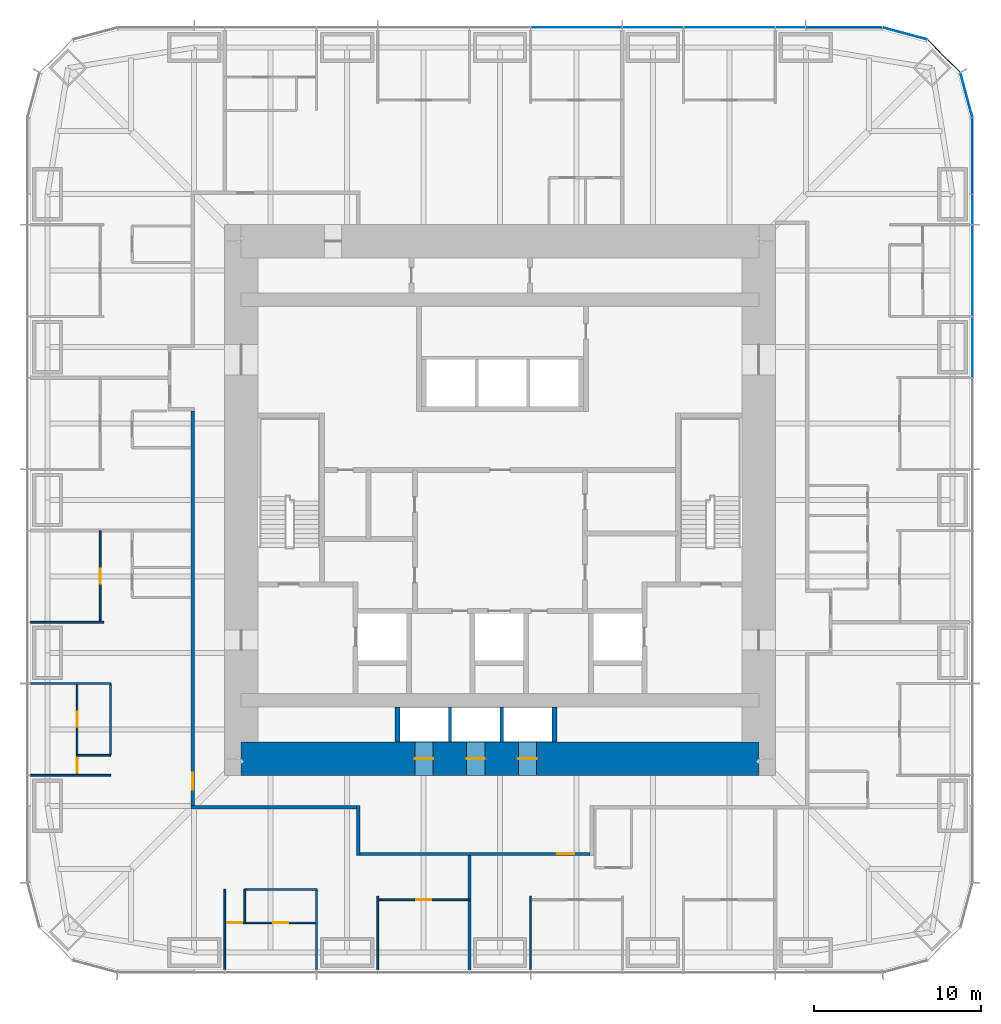
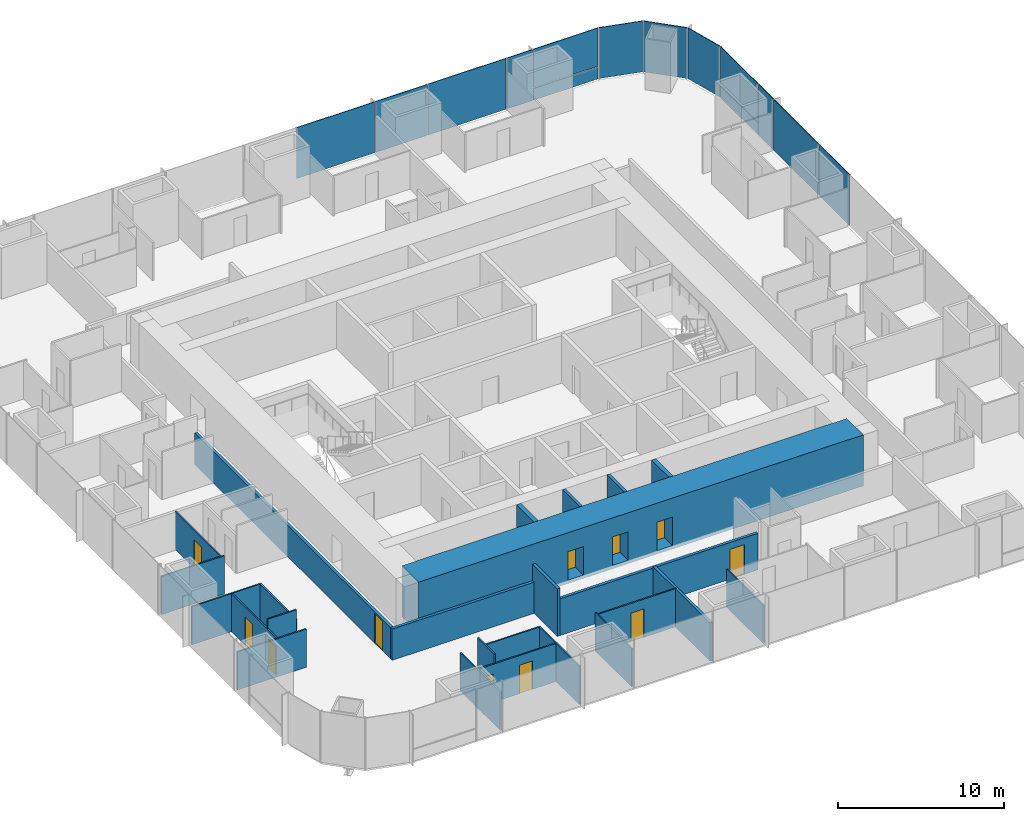
# One storey, part 7 of 12: 25 walls, 14 plates, 11 doors, 11 openings, 3 elements without a shape of their own.
"""IFC4 building model written with IfcOpenShell, lengths in metres."""

from ifc_helpers import new_model, si_unit, direction, frame, frame_2d, origin, origin_2d, place, context, subcontext, project, spatial, rectangle, extrude, material, layer, layer_set, type_object, element, fill, aggregate, save


model = new_model("IFC4")

# Units and contexts
model_context = context("Model", 3, precision=1e-05, world=origin(), true_north=direction((0.0, 1.0)))
body_context = subcontext(model_context, "Body", "Model", "MODEL_VIEW")
ifc_project = project(units=[si_unit("LENGTHUNIT", "METRE"), si_unit("AREAUNIT", "SQUARE_METRE"), si_unit("VOLUMEUNIT", "CUBIC_METRE"), si_unit("PLANEANGLEUNIT", "RADIAN"), si_unit("MASSUNIT", "GRAM", prefix="KILO")], contexts=[model_context])

# Site, building, storey
site_placement = place(None, origin())
site = spatial("IfcSite", under=ifc_project, at=site_placement, CompositionType="ELEMENT")
building_placement = place(site_placement, origin())
building = spatial("IfcBuilding", under=site, at=building_placement, Name="Khuree Lantern Residences", CompositionType="ELEMENT")
storey_placement = place(building_placement, frame((0.0, 0.0, 178.5)))
storey = spatial("IfcBuildingStorey", under=building, at=storey_placement, Name="L45", CompositionType="ELEMENT", Elevation=178.5)

# Curtain wall, plates
ifc_material_1 = material(Name="Bronze anodised aluminium", Category="aluminium")
curtain_wall_type_1 = type_object("IfcCurtainWallType", Name="CW-T2 TOWER CORNER CURTAIN WALL", PredefinedType="USERDEFINED", material=ifc_material_1)
curtain_wall_1_placement = place(storey_placement, origin())
curtain_wall_1 = element("IfcCurtainWall", 1, at=curtain_wall_1_placement, inside=storey, type_object=curtain_wall_type_1, Name="L45 NORTH-EAST CORNER CURTAIN WALL", ObjectType="Faceted corner curtain wall", PredefinedType="USERDEFINED")
ifc_material_2 = material(Name="Bronze tinted triple glazing", Category="glass")
ifc_layer_1 = layer(ifc_material_2, 0.048095703125)
ifc_layer_set_1 = layer_set([ifc_layer_1], Name="FACET PANEL P4")
plate_type_1 = type_object("IfcPlateType", Name="FACET PANEL P4", PredefinedType="CURTAIN_PANEL", material=ifc_layer_set_1)
plate_1_placement = place(storey_placement, frame((27.938720703125, 24.248046875, 0.0), z_axis=(0.0, 0.0, 1.0), x_axis=(-0.258819105321, 0.965925810153, 0.0)))
plate_1 = element("IfcPlate", 2, at=plate_1_placement, type_object=plate_type_1, Name="L45 NORTH-EAST CORNER PANEL 15.1", PredefinedType="CURTAIN_PANEL", context=body_context, shape_type="SweptSolid", body=[
    extrude(rectangle(XDim=2.71923828125, YDim=0.048095703125, at=origin_2d()), origin(), (0.0, 0.0, 1.0), 3.75),
])
plate_2_placement = place(storey_placement, frame((26.58837890625, 26.58837890625, 0.0), z_axis=(0.0, 0.0, 1.0), x_axis=(-0.707106781187, 0.707106781187, 0.0)))
plate_2 = element("IfcPlate", 3, at=plate_2_placement, type_object=plate_type_1, Name="L45 NORTH-EAST CORNER PANEL 16.1", PredefinedType="CURTAIN_PANEL", context=body_context, shape_type="SweptSolid", body=[
    extrude(rectangle(XDim=2.715087890625, YDim=0.048095703125, at=origin_2d()), origin(), (0.0, 0.0, 1.0), 3.75),
])
plate_3_placement = place(storey_placement, frame((24.248046875, 27.938720703125, 0.0), z_axis=(0.0, 0.0, 1.0), x_axis=(-0.965925810153, 0.258819105321, 0.0)))
plate_3 = element("IfcPlate", 4, at=plate_3_placement, type_object=plate_type_1, Name="L45 NORTH-EAST CORNER PANEL 17.1", PredefinedType="CURTAIN_PANEL", context=body_context, shape_type="SweptSolid", body=[
    extrude(rectangle(XDim=2.71923828125, YDim=0.048095703125, at=origin_2d()), origin(), (0.0, 0.0, 1.0), 3.75),
])
aggregate(curtain_wall_1, [plate_1, plate_2, plate_3])

# Curtain wall, plate
curtain_wall_type_2 = type_object("IfcCurtainWallType", Name="CW-T1 TOWER FACE CURTAIN WALL", PredefinedType="USERDEFINED", material=ifc_material_1)
curtain_wall_2_placement = place(storey_placement, origin())
curtain_wall_2 = element("IfcCurtainWall", 5, at=curtain_wall_2_placement, inside=storey, type_object=curtain_wall_type_2, Name="L45 EAST FACE CURTAIN WALL", ObjectType="Stick-built curtain wall", PredefinedType="USERDEFINED")
ifc_material_3 = material(Name="Bronze tinted triple glazing with a ceramic-fritted spandrel band", Category="glass")
ifc_layer_2 = layer(ifc_material_3, 0.048095703125)
ifc_layer_set_2 = layer_set([ifc_layer_2], Name="FIXED LIGHT PANEL P11")
plate_type_2 = type_object("IfcPlateType", Name="FIXED LIGHT PANEL P11", PredefinedType="CURTAIN_PANEL", material=ifc_layer_set_2)
plate_4_placement = place(storey_placement, frame((28.300048828125, 13.739990234375, 0.0), z_axis=(0.0, 0.0, 1.0), x_axis=(0.0, 1.0, 0.0)))
plate_4 = element("IfcPlate", 6, at=plate_4_placement, type_object=plate_type_2, Name="L45 EAST FACE PANEL 12.1", PredefinedType="CURTAIN_PANEL", context=body_context, shape_type="SweptSolid", body=[
    extrude(rectangle(XDim=5.430908203125, YDim=0.048095703125, at=origin_2d()), origin(), (0.0, 0.0, 1.0), 3.75),
])

# Curtain wall, plates
curtain_wall_3_placement = place(storey_placement, origin())
curtain_wall_3 = element("IfcCurtainWall", 7, at=curtain_wall_3_placement, inside=storey, type_object=curtain_wall_type_2, Name="L45 NORTH FACE CURTAIN WALL", ObjectType="Stick-built curtain wall", PredefinedType="USERDEFINED")
plate_5_placement = place(storey_placement, frame((13.739990234375, 28.300048828125, 0.0), z_axis=(0.0, 0.0, 1.0), x_axis=(-1.0, 0.0, 0.0)))
plate_5 = element("IfcPlate", 8, at=plate_5_placement, type_object=plate_type_2, Name="L45 NORTH FACE PANEL 20.1", PredefinedType="CURTAIN_PANEL", context=body_context, shape_type="SweptSolid", body=[
    extrude(rectangle(XDim=5.430908203125, YDim=0.048095703125, at=origin_2d()), origin(), (0.0, 0.0, 1.0), 3.75),
])
plate_6_placement = place(storey_placement, frame((4.580078125, 28.300048828125, 0.0), z_axis=(0.0, 0.0, 1.0), x_axis=(-1.0, 0.0, 0.0)))
plate_6 = element("IfcPlate", 9, at=plate_6_placement, type_object=plate_type_2, Name="L45 NORTH FACE PANEL 22.1", PredefinedType="CURTAIN_PANEL", context=body_context, shape_type="SweptSolid", body=[
    extrude(rectangle(XDim=5.430908203125, YDim=0.048095703125, at=origin_2d()), origin(), (0.0, 0.0, 1.0), 3.75),
])

# Plate
ifc_material_4 = material(Name="Bronze tinted triple glazing, two aluminium-framed sashes in one frame", Category="aluminium")
ifc_layer_3 = layer(ifc_material_4, 0.048095703125)
ifc_layer_set_3 = layer_set([ifc_layer_3], Name="SASH PAIR PANEL P12")
plate_type_3 = type_object("IfcPlateType", Name="SASH PAIR PANEL P12", PredefinedType="CURTAIN_PANEL", material=ifc_layer_set_3)
plate_7_placement = place(storey_placement, frame((28.300048828125, 9.159912109375, 0.0), z_axis=(0.0, 0.0, 1.0), x_axis=(0.0, 1.0, 0.0)))
plate_7 = element("IfcPlate", 10, at=plate_7_placement, type_object=plate_type_3, Name="L45 EAST FACE PANEL 11.1", PredefinedType="CURTAIN_PANEL", context=body_context, shape_type="SweptSolid", body=[
    extrude(rectangle(XDim=3.59912109375, YDim=0.048095703125, at=origin_2d()), origin(), (0.0, 0.0, 1.0), 3.75),
])

plate_8_placement = place(storey_placement, frame((9.159912109375, 28.300048828125, 0.0), z_axis=(0.0, 0.0, 1.0), x_axis=(-1.0, 0.0, 0.0)))
plate_8 = element("IfcPlate", 11, at=plate_8_placement, type_object=plate_type_3, Name="L45 NORTH FACE PANEL 21.1", PredefinedType="CURTAIN_PANEL", context=body_context, shape_type="SweptSolid", body=[
    extrude(rectangle(XDim=3.59912109375, YDim=0.048095703125, at=origin_2d()), origin(), (0.0, 0.0, 1.0), 3.75),
])

ifc_material_5 = material(Name="Bronze tinted triple glazing, aluminium-framed sash", Category="aluminium")
ifc_layer_4 = layer(ifc_material_5, 0.048095703125)
ifc_layer_set_4 = layer_set([ifc_layer_4], Name="SASH PANEL P3")
plate_type_4 = type_object("IfcPlateType", Name="SASH PANEL P3", PredefinedType="CURTAIN_PANEL", material=ifc_layer_set_4)
plate_9_placement = place(storey_placement, frame((28.300048828125, 17.404052734375, 0.0), z_axis=(0.0, 0.0, 1.0), x_axis=(0.0, 1.0, 0.0)))
plate_9 = element("IfcPlate", 12, at=plate_9_placement, type_object=plate_type_4, Name="L45 EAST FACE PANEL 13.1", PredefinedType="CURTAIN_PANEL", context=body_context, shape_type="SweptSolid", body=[
    extrude(rectangle(XDim=1.76708984375, YDim=0.048095703125, at=origin_2d()), origin(), (0.0, 0.0, 1.0), 3.75),
])

plate_10_placement = place(storey_placement, frame((17.404052734375, 28.300048828125, 0.0), z_axis=(0.0, 0.0, 1.0), x_axis=(-1.0, 0.0, 0.0)))
plate_10 = element("IfcPlate", 13, at=plate_10_placement, type_object=plate_type_4, Name="L45 NORTH FACE PANEL 19.1", PredefinedType="CURTAIN_PANEL", context=body_context, shape_type="SweptSolid", body=[
    extrude(rectangle(XDim=1.76708984375, YDim=0.048095703125, at=origin_2d()), origin(), (0.0, 0.0, 1.0), 3.75),
])

ifc_material_6 = material(Name="Bronze anodised aluminium insulated spandrel", Category="aluminium")
ifc_layer_5 = layer(ifc_material_6, 0.06005859375)
ifc_layer_set_5 = layer_set([ifc_layer_5], Name="SPANDREL PANEL P2")
plate_type_5 = type_object("IfcPlateType", Name="SPANDREL PANEL P2", PredefinedType="CURTAIN_PANEL", material=ifc_layer_set_5)
plate_11_placement = place(storey_placement, frame((28.300048828125, 20.60791015625, 0.0), z_axis=(0.0, 0.0, 1.0), x_axis=(0.0, 1.0, 0.0)))
plate_11 = element("IfcPlate", 14, at=plate_11_placement, type_object=plate_type_5, Name="L45 EAST FACE PANEL 14.1", PredefinedType="CURTAIN_PANEL", context=body_context, shape_type="SweptSolid", body=[
    extrude(rectangle(XDim=4.5107421875, YDim=0.06005859375, at=origin_2d()), origin(), (0.0, 0.0, 1.0), 0.867431640625),
])

plate_12_placement = place(storey_placement, frame((20.60791015625, 28.300048828125, 0.0), z_axis=(0.0, 0.0, 1.0), x_axis=(-1.0, 0.0, 0.0)))
plate_12 = element("IfcPlate", 15, at=plate_12_placement, type_object=plate_type_5, Name="L45 NORTH FACE PANEL 18.1", PredefinedType="CURTAIN_PANEL", context=body_context, shape_type="SweptSolid", body=[
    extrude(rectangle(XDim=4.5107421875, YDim=0.06005859375, at=origin_2d()), origin(), (0.0, 0.0, 1.0), 0.867431640625),
])

ifc_layer_6 = layer(ifc_material_2, 0.048095703125)
ifc_layer_set_6 = layer_set([ifc_layer_6], Name="VISION PANEL P1")
plate_type_6 = type_object("IfcPlateType", Name="VISION PANEL P1", PredefinedType="CURTAIN_PANEL", material=ifc_layer_set_6)
plate_13_placement = place(storey_placement, frame((28.300048828125, 20.6083984375, 0.9326171875), z_axis=(0.0, 0.0, 1.0), x_axis=(0.0, 1.0, 0.0)))
plate_13 = element("IfcPlate", 16, at=plate_13_placement, type_object=plate_type_6, Name="L45 EAST FACE PANEL 14.2", PredefinedType="CURTAIN_PANEL", context=body_context, shape_type="SweptSolid", body=[
    extrude(rectangle(XDim=4.511474609375, YDim=0.048095703125, at=origin_2d()), origin(), (0.0, 0.0, 1.0), 2.8173828125),
])

aggregate(curtain_wall_2, [plate_7, plate_4, plate_9, plate_11, plate_13])

plate_14_placement = place(storey_placement, frame((20.6083984375, 28.300048828125, 0.9326171875), z_axis=(0.0, 0.0, 1.0), x_axis=(-1.0, 0.0, 0.0)))
plate_14 = element("IfcPlate", 17, at=plate_14_placement, type_object=plate_type_6, Name="L45 NORTH FACE PANEL 18.2", PredefinedType="CURTAIN_PANEL", context=body_context, shape_type="SweptSolid", body=[
    extrude(rectangle(XDim=4.511474609375, YDim=0.048095703125, at=origin_2d()), origin(), (0.0, 0.0, 1.0), 2.8173828125),
])

aggregate(curtain_wall_3, [plate_12, plate_14, plate_10, plate_5, plate_8, plate_6])

# Walls
ifc_material_7 = material(Name="Moisture-resistant gypsum board on steel studs", Category="steel")
ifc_layer_7 = layer(ifc_material_7, 0.125)
ifc_layer_set_7 = layer_set([ifc_layer_7], Name="BATHROOM WALL BTW125")
wall_type_1 = type_object("IfcWallType", Name="BATHROOM WALL BTW125", PredefinedType="PARTITIONING", material=ifc_layer_set_7)
wall_1_placement = place(storey_placement, frame((-23.329833984375, -10.991943359375, 0.0), z_axis=(0.0, 0.0, 1.0), x_axis=(0.0, -1.0, 0.0)))
element("IfcWall", 18, at=wall_1_placement, inside=storey, type_object=wall_type_1, Name="L45 BATHROOM WALL 05", PredefinedType="PARTITIONING", context=body_context, shape_type="SweptSolid", body=[
    extrude(rectangle(XDim=4.296142578125, YDim=0.125, at=frame_2d((2.14794921875, 0.0))), origin(), (0.0, 0.0, 1.0), 2.81005859375),
])
ifc_material_8 = material(Name="Dense concrete blockwork", Category="masonry")
ifc_layer_8 = layer(ifc_material_8, 0.300048828125)
ifc_layer_set_8 = layer_set([ifc_layer_8], Name="CORE PARTITION WALL CPW300 EI 120")
wall_type_2 = type_object("IfcWallType", Name="CORE PARTITION WALL CPW300 EI 120", PredefinedType="PARTITIONING", material=ifc_layer_set_8)
for number, where, z_axis, x_axis, name in (
    (19, (-6.14990234375, -14.5, 0.0), (0.0, 0.0, 1.0), (0.0, 1.0, 0.0), "L45 CORE WALL PMW"),
    (20, (3.25, -14.5, 0.0), (0.0, 0.0, 1.0), (0.0, 1.0, 0.0), "L45 CORE WALL PME"),
):
    element("IfcWall", number, at=place(storey_placement, frame(where, z_axis=z_axis, x_axis=x_axis)), inside=storey, type_object=wall_type_2, Name=name, PredefinedType="PARTITIONING", context=body_context, shape_type="SweptSolid", body=[
        extrude(rectangle(XDim=2.10009765625, YDim=0.300048828125, at=frame_2d((1.050048828125, 0.0))), origin(), (0.0, 0.0, 1.0), 3.5),
    ])

# Wall, opening, door
ifc_material_9 = material(Name="Gypsum board on steel studs", Category="steel")
ifc_layer_9 = layer(ifc_material_9, 0.199951171875)
ifc_layer_set_9 = layer_set([ifc_layer_9], Name="CORRIDOR WALL CRW200 EI 60")
wall_type_3 = type_object("IfcWallType", Name="CORRIDOR WALL CRW200 EI 60", PredefinedType="PARTITIONING", material=ifc_layer_set_9)
wall_2_placement = place(storey_placement, frame((-18.39990234375, 5.327880859375, 0.0), z_axis=(0.0, 0.0, 1.0), x_axis=(0.0, -1.0, 0.0)))
wall_2 = element("IfcWall", 21, at=wall_2_placement, inside=storey, type_object=wall_type_3, Name="L45 CORRIDOR WALL WEST 2", PredefinedType="PARTITIONING", context=body_context, shape_type="SweptSolid", body=[
    extrude(rectangle(XDim=23.6279296875, YDim=0.199951171875, at=frame_2d((11.81396484375, 0.0))), origin(), (0.0, 0.0, 1.0), 2.300048828125),
])
opening_1_placement = place(wall_2_placement, frame((21.679931640625, 0.0, 0.0)))
opening_1 = element("IfcOpeningElement", 22, at=opening_1_placement, cuts=wall_2, Name="Opening 45-055", PredefinedType="OPENING", context=body_context, shape_type="SweptSolid", body=[
    extrude(rectangle(XDim=1.0, YDim=2.199951171875, at=frame_2d((0.5, 1.10009765625))), frame((0.0, 0.10986328125, 0.0), z_axis=(0.0, -1.0, 0.0), x_axis=(1.0, 0.0, 0.0)), (0.0, 0.0, 1.0), 0.219970703125),
])
ifc_material_10 = material(Name="Timber door leaf in hardwood frame", Category="wood")
door_type_1 = type_object("IfcDoorType", Name="APARTMENT ENTRANCE DOOR 1000X2200 EI 30S RIGHT HAND", OperationType="SINGLE_SWING_RIGHT", PredefinedType="DOOR", material=ifc_material_10)
door_1_placement = place(opening_1_placement, origin())
door_1 = element("IfcDoor", 23, at=door_1_placement, inside=storey, type_object=door_type_1, Name="Apartment 05 entrance door 45-055", OperationType="SINGLE_SWING_RIGHT", OverallHeight=2.199951171875, OverallWidth=1.0, PredefinedType="DOOR", context=body_context, shape_type="SweptSolid", body=[
    extrude(rectangle(XDim=1.0, YDim=2.199951171875, at=frame_2d((0.5, 1.10009765625))), frame((0.0, 0.02490234375, 0.0), z_axis=(0.0, -1.0, 0.0), x_axis=(1.0, 0.0, 0.0)), (0.0, 0.0, 1.0), 0.050048828125),
])
fill(opening_1, door_1)

# Wall
wall_3_placement = place(storey_placement, frame((-8.5, -18.300048828125, 0.0), z_axis=(0.0, 0.0, 1.0), x_axis=(0.0, -1.0, 0.0)))
element("IfcWall", 24, at=wall_3_placement, inside=storey, type_object=wall_type_3, Name="L45 LIFT LOBBY WALL", PredefinedType="PARTITIONING", context=body_context, shape_type="SweptSolid", body=[
    extrude(rectangle(XDim=3.0, YDim=0.199951171875, at=frame_2d((1.5, 0.0))), origin(), (0.0, 0.0, 1.0), 3.5),
])

# Wall, opening, door
wall_4_placement = place(storey_placement, frame((5.39990234375, -21.199951171875, 0.0), z_axis=(0.0, 0.0, 1.0), x_axis=(-1.0, 0.0, 0.0)))
wall_4 = element("IfcWall", 25, at=wall_4_placement, inside=storey, type_object=wall_type_3, Name="L45 LIFT LOBBY WALL", PredefinedType="PARTITIONING", context=body_context, shape_type="SweptSolid", body=[
    extrude(rectangle(XDim=13.7998046875, YDim=0.199951171875, at=frame_2d((6.89990234375, 0.0))), origin(), (0.0, 0.0, 1.0), 2.699951171875),
])
opening_2_placement = place(wall_4_placement, frame((0.9619140625, 0.0, 0.0)))
opening_2 = element("IfcOpeningElement", 26, at=opening_2_placement, cuts=wall_4, Name="Opening 45-059", PredefinedType="OPENING", context=body_context, shape_type="SweptSolid", body=[
    extrude(rectangle(XDim=1.0, YDim=2.199951171875, at=frame_2d((0.5, 1.10009765625))), frame((0.0, 0.10986328125, 0.0), z_axis=(0.0, -1.0, 0.0), x_axis=(1.0, 0.0, 0.0)), (0.0, 0.0, 1.0), 0.219970703125),
])
door_type_2 = type_object("IfcDoorType", Name="APARTMENT ENTRANCE DOOR 1000X2200 EI 30S", OperationType="SINGLE_SWING_LEFT", PredefinedType="DOOR", material=ifc_material_10)
door_2_placement = place(opening_2_placement, origin())
door_2 = element("IfcDoor", 27, at=door_2_placement, inside=storey, type_object=door_type_2, Name="Apartment 06 entrance door 45-059", OperationType="SINGLE_SWING_LEFT", OverallHeight=2.199951171875, OverallWidth=1.0, PredefinedType="DOOR", context=body_context, shape_type="SweptSolid", body=[
    extrude(rectangle(XDim=1.0, YDim=2.199951171875, at=frame_2d((0.5, 1.10009765625))), frame((0.0, 0.02490234375, 0.0), z_axis=(0.0, -1.0, 0.0), x_axis=(1.0, 0.0, 0.0)), (0.0, 0.0, 1.0), 0.050048828125),
])
fill(opening_2, door_2)

# Wall
wall_5_placement = place(storey_placement, frame((-8.60009765625, -18.39990234375, 0.0), z_axis=(0.0, 0.0, 1.0), x_axis=(-1.0, 0.0, 0.0)))
element("IfcWall", 28, at=wall_5_placement, inside=storey, type_object=wall_type_3, Name="L45 CORRIDOR WALL SOUTH 2", PredefinedType="PARTITIONING", context=body_context, shape_type="SweptSolid", body=[
    extrude(rectangle(XDim=9.89990234375, YDim=0.199951171875, at=frame_2d((4.949951171875, 0.0))), origin(), (0.0, 0.0, 1.0), 2.300048828125),
])

# Wall, openings, doors
ifc_material_11 = material(Name="Concrete C70/85", Category="concrete")
ifc_layer_10 = layer(ifc_material_11, 2.0)
ifc_layer_set_10 = layer_set([ifc_layer_10], Name="CW2000-C70 CORE WALL C70 2000")
wall_type_4 = type_object("IfcWallType", Name="CW2000-C70 CORE WALL C70 2000", PredefinedType="SHEAR", material=ifc_layer_set_10)
wall_6_placement = place(storey_placement, frame((-15.5, -15.5, -0.25), z_axis=(0.0, 0.0, 1.0), x_axis=(1.0, 0.0, 0.0)))
wall_6 = element("IfcWall", 29, at=wall_6_placement, inside=storey, type_object=wall_type_4, Name="Core wall S", PredefinedType="SHEAR", context=body_context, shape_type="SweptSolid", body=[
    extrude(rectangle(XDim=31.0, YDim=2.0, at=frame_2d((15.5, 0.0))), origin(), (0.0, 0.0, 1.0), 3.75),
])
opening_3_placement = place(wall_6_placement, frame((10.39990234375, 0.0, 0.25)))
opening_3 = element("IfcOpeningElement", 30, at=opening_3_placement, cuts=wall_6, Name="Opening 45-009", PredefinedType="OPENING", context=body_context, shape_type="SweptSolid", body=[
    extrude(rectangle(XDim=1.10009765625, YDim=2.10009765625, at=frame_2d((0.550048828125, 1.050048828125))), frame((0.0, 1.010009765625, 0.0), z_axis=(0.0, -1.0, 0.0), x_axis=(1.0, 0.0, 0.0)), (0.0, 0.0, 1.0), 2.02001953125),
])
opening_4_placement = place(wall_6_placement, frame((13.5, 0.0, 0.25)))
opening_4 = element("IfcOpeningElement", 31, at=opening_4_placement, cuts=wall_6, Name="Opening 45-010", PredefinedType="OPENING", context=body_context, shape_type="SweptSolid", body=[
    extrude(rectangle(XDim=1.10009765625, YDim=2.10009765625, at=frame_2d((0.550048828125, 1.050048828125))), frame((0.0, 1.010009765625, 0.0), z_axis=(0.0, -1.0, 0.0), x_axis=(1.0, 0.0, 0.0)), (0.0, 0.0, 1.0), 2.02001953125),
])
opening_5_placement = place(wall_6_placement, frame((16.60009765625, 0.0, 0.25)))
opening_5 = element("IfcOpeningElement", 32, at=opening_5_placement, cuts=wall_6, Name="Opening 45-011", PredefinedType="OPENING", context=body_context, shape_type="SweptSolid", body=[
    extrude(rectangle(XDim=1.10009765625, YDim=2.10009765625, at=frame_2d((0.550048828125, 1.050048828125))), frame((0.0, 1.010009765625, 0.0), z_axis=(0.0, -1.0, 0.0), x_axis=(1.0, 0.0, 0.0)), (0.0, 0.0, 1.0), 2.02001953125),
])
ifc_material_12 = material(Name="Stainless steel lift landing door", Category="steel")
door_type_3 = type_object("IfcDoorType", Name="LIFT LANDING DOOR 1100X2100 E 60", OperationType="DOUBLE_DOOR_SLIDING", PredefinedType="DOOR", material=ifc_material_12)
door_3_placement = place(opening_3_placement, origin())
door_3 = element("IfcDoor", 33, at=door_3_placement, inside=storey, type_object=door_type_3, Name="Landing door PM1 45-009", OperationType="DOUBLE_DOOR_SLIDING", OverallHeight=2.10009765625, OverallWidth=1.10009765625, PredefinedType="DOOR", context=body_context, shape_type="SweptSolid", body=[
    extrude(rectangle(XDim=1.10009765625, YDim=2.10009765625, at=frame_2d((0.550048828125, 1.050048828125))), frame((0.0, 0.02490234375, 0.0), z_axis=(0.0, -1.0, 0.0), x_axis=(1.0, 0.0, 0.0)), (0.0, 0.0, 1.0), 0.050048828125),
])
fill(opening_3, door_3)
door_4_placement = place(opening_4_placement, origin())
door_4 = element("IfcDoor", 34, at=door_4_placement, inside=storey, type_object=door_type_3, Name="Landing door PM2 45-010", OperationType="DOUBLE_DOOR_SLIDING", OverallHeight=2.10009765625, OverallWidth=1.10009765625, PredefinedType="DOOR", context=body_context, shape_type="SweptSolid", body=[
    extrude(rectangle(XDim=1.10009765625, YDim=2.10009765625, at=frame_2d((0.550048828125, 1.050048828125))), frame((0.0, 0.02490234375, 0.0), z_axis=(0.0, -1.0, 0.0), x_axis=(1.0, 0.0, 0.0)), (0.0, 0.0, 1.0), 0.050048828125),
])
fill(opening_4, door_4)
door_5_placement = place(opening_5_placement, origin())
door_5 = element("IfcDoor", 35, at=door_5_placement, inside=storey, type_object=door_type_3, Name="Landing door PM3 45-011", OperationType="DOUBLE_DOOR_SLIDING", OverallHeight=2.10009765625, OverallWidth=1.10009765625, PredefinedType="DOOR", context=body_context, shape_type="SweptSolid", body=[
    extrude(rectangle(XDim=1.10009765625, YDim=2.10009765625, at=frame_2d((0.550048828125, 1.050048828125))), frame((0.0, 0.02490234375, 0.0), z_axis=(0.0, -1.0, 0.0), x_axis=(1.0, 0.0, 0.0)), (0.0, 0.0, 1.0), 0.050048828125),
])
fill(opening_5, door_5)

# Walls
ifc_layer_11 = layer(ifc_material_9, 0.199951171875)
ifc_layer_set_11 = layer_set([ifc_layer_11], Name="DEMISING WALL DMW200 EI 90")
wall_type_5 = type_object("IfcWallType", Name="DEMISING WALL DMW200 EI 90", PredefinedType="PARTITIONING", material=ifc_layer_set_11)
wall_7_placement = place(storey_placement, frame((-1.83203125, -21.300048828125, 0.0), z_axis=(0.0, 0.0, 1.0), x_axis=(0.0, -1.0, 0.0)))
element("IfcWall", 36, at=wall_7_placement, inside=storey, type_object=wall_type_5, Name="L45 DEMISING WALL 06", PredefinedType="PARTITIONING", context=body_context, shape_type="SweptSolid", body=[
    extrude(rectangle(XDim=6.849853515625, YDim=0.199951171875, at=frame_2d((3.4248046875, 0.0))), origin(), (0.0, 0.0, 1.0), 2.81005859375),
])
ifc_layer_12 = layer(ifc_material_9, 0.10009765625)
ifc_layer_set_12 = layer_set([ifc_layer_12], Name="PARTITION PT100")
wall_type_6 = type_object("IfcWallType", Name="PARTITION PT100", PredefinedType="PARTITIONING", material=ifc_layer_set_12)
wall_8_placement = place(storey_placement, frame((-23.75, -7.327880859375, 0.0), z_axis=(0.0, 0.0, 1.0), x_axis=(-1.0, 0.0, 0.0)))
element("IfcWall", 37, at=wall_8_placement, inside=storey, type_object=wall_type_6, Name="L45 PARTITION 05", PredefinedType="PARTITIONING", context=body_context, shape_type="SweptSolid", body=[
    extrude(rectangle(XDim=4.39990234375, YDim=0.10009765625, at=frame_2d((2.199951171875, 0.0))), origin(), (0.0, 0.0, 1.0), 2.81005859375),
])
for number, where, z_axis, x_axis, name in (
    (38, (-23.329833984375, -10.991943359375, 0.0), (0.0, 0.0, 1.0), (-1.0, 0.0, 0.0), "L45 PARTITION 05"),
    (39, (-23.329833984375, -16.488037109375, 0.0), (0.0, 0.0, 1.0), (-1.0, 0.0, 0.0), "L45 PARTITION 05"),
    (40, (-16.488037109375, -23.329833984375, 0.0), (0.0, 0.0, 1.0), (0.0, -1.0, 0.0), "L45 PARTITION 05"),
    (41, (-10.991943359375, -23.329833984375, 0.0), (0.0, 0.0, 1.0), (0.0, -1.0, 0.0), "L45 PARTITION 05"),
):
    element("IfcWall", number, at=place(storey_placement, frame(where, z_axis=z_axis, x_axis=x_axis)), inside=storey, type_object=wall_type_6, Name=name, PredefinedType="PARTITIONING", context=body_context, shape_type="SweptSolid", body=[
        extrude(rectangle(XDim=4.820068359375, YDim=0.10009765625, at=frame_2d((2.41015625, 0.0))), origin(), (0.0, 0.0, 1.0), 2.81005859375),
    ])
for number, where, z_axis, x_axis, name in (
    (42, (-7.327880859375, -23.75, 0.0), (0.0, 0.0, 1.0), (0.0, -1.0, 0.0), "L45 PARTITION 05"),
    (43, (1.83203125, -23.75, 0.0), (0.0, 0.0, 1.0), (0.0, -1.0, 0.0), "L45 PARTITION 06"),
):
    element("IfcWall", number, at=place(storey_placement, frame(where, z_axis=z_axis, x_axis=x_axis)), inside=storey, type_object=wall_type_6, Name=name, PredefinedType="PARTITIONING", context=body_context, shape_type="SweptSolid", body=[
        extrude(rectangle(XDim=4.39990234375, YDim=0.10009765625, at=frame_2d((2.199951171875, 0.0))), origin(), (0.0, 0.0, 1.0), 2.81005859375),
    ])

# Wall, opening, door
wall_9_placement = place(storey_placement, frame((-23.949951171875, -1.83203125, 0.0), z_axis=(0.0, 0.0, 1.0), x_axis=(0.0, -1.0, 0.0)))
wall_9 = element("IfcWall", 44, at=wall_9_placement, inside=storey, type_object=wall_type_6, Name="L45 PARTITION 05", PredefinedType="PARTITIONING", context=body_context, shape_type="SweptSolid", body=[
    extrude(rectangle(XDim=5.495849609375, YDim=0.10009765625, at=frame_2d((2.748046875, 0.0))), origin(), (0.0, 0.0, 1.0), 2.81005859375),
])
opening_6_placement = place(wall_9_placement, frame((2.298095703125, 0.0, 0.0)))
opening_6 = element("IfcOpeningElement", 45, at=opening_6_placement, cuts=wall_9, Name="Opening 45-047", PredefinedType="OPENING", context=body_context, shape_type="SweptSolid", body=[
    extrude(rectangle(XDim=0.89990234375, YDim=2.10009765625, at=frame_2d((0.449951171875, 1.050048828125))), frame((0.0, 0.06005859375, 0.0), z_axis=(0.0, -1.0, 0.0), x_axis=(1.0, 0.0, 0.0)), (0.0, 0.0, 1.0), 0.1201171875),
])
door_type_4 = type_object("IfcDoorType", Name="BEDROOM DOOR 900X2100", OperationType="SINGLE_SWING_LEFT", PredefinedType="DOOR", material=ifc_material_10)
door_6_placement = place(opening_6_placement, origin())
door_6 = element("IfcDoor", 46, at=door_6_placement, inside=storey, type_object=door_type_4, Name="Bedroom door 45-047", OperationType="SINGLE_SWING_LEFT", OverallHeight=2.10009765625, OverallWidth=0.89990234375, PredefinedType="DOOR", context=body_context, shape_type="SweptSolid", body=[
    extrude(rectangle(XDim=0.89990234375, YDim=2.10009765625, at=frame_2d((0.449951171875, 1.050048828125))), frame((0.0, 0.02490234375, 0.0), z_axis=(0.0, -1.0, 0.0), x_axis=(1.0, 0.0, 0.0)), (0.0, 0.0, 1.0), 0.050048828125),
])
fill(opening_6, door_6)

# Wall, openings, doors
wall_10_placement = place(storey_placement, frame((-25.329833984375, -10.991943359375, 0.0), z_axis=(0.0, 0.0, 1.0), x_axis=(0.0, -1.0, 0.0)))
wall_10 = element("IfcWall", 47, at=wall_10_placement, inside=storey, type_object=wall_type_6, Name="L45 PARTITION 05", PredefinedType="PARTITIONING", context=body_context, shape_type="SweptSolid", body=[
    extrude(rectangle(XDim=5.49609375, YDim=0.10009765625, at=frame_2d((2.748046875, 0.0))), origin(), (0.0, 0.0, 1.0), 2.81005859375),
])
opening_7_placement = place(wall_10_placement, frame((4.446044921875, 0.0, 0.0)))
opening_7 = element("IfcOpeningElement", 48, at=opening_7_placement, cuts=wall_10, Name="Opening 45-048", PredefinedType="OPENING", context=body_context, shape_type="SweptSolid", body=[
    extrude(rectangle(XDim=0.89990234375, YDim=2.10009765625, at=frame_2d((0.449951171875, 1.050048828125))), frame((0.0, 0.06005859375, 0.0), z_axis=(0.0, -1.0, 0.0), x_axis=(1.0, 0.0, 0.0)), (0.0, 0.0, 1.0), 0.1201171875),
])
opening_8_placement = place(wall_10_placement, frame((1.697998046875, 0.0, 0.0)))
opening_8 = element("IfcOpeningElement", 49, at=opening_8_placement, cuts=wall_10, Name="Opening 45-049", PredefinedType="OPENING", context=body_context, shape_type="SweptSolid", body=[
    extrude(rectangle(XDim=0.89990234375, YDim=2.10009765625, at=frame_2d((0.449951171875, 1.050048828125))), frame((0.0, 0.06005859375, 0.0), z_axis=(0.0, -1.0, 0.0), x_axis=(1.0, 0.0, 0.0)), (0.0, 0.0, 1.0), 0.1201171875),
])
door_type_5 = type_object("IfcDoorType", Name="BATHROOM DOOR 900X2100", OperationType="SINGLE_SWING_LEFT", PredefinedType="DOOR", material=ifc_material_10)
door_7_placement = place(opening_8_placement, origin())
door_7 = element("IfcDoor", 50, at=door_7_placement, inside=storey, type_object=door_type_5, Name="Bathroom door 45-049", OperationType="SINGLE_SWING_LEFT", OverallHeight=2.10009765625, OverallWidth=0.89990234375, PredefinedType="DOOR", context=body_context, shape_type="SweptSolid", body=[
    extrude(rectangle(XDim=0.89990234375, YDim=2.10009765625, at=frame_2d((0.449951171875, 1.050048828125))), frame((0.0, 0.02490234375, 0.0), z_axis=(0.0, -1.0, 0.0), x_axis=(1.0, 0.0, 0.0)), (0.0, 0.0, 1.0), 0.050048828125),
])
fill(opening_8, door_7)
door_8_placement = place(opening_7_placement, origin())
door_8 = element("IfcDoor", 51, at=door_8_placement, inside=storey, type_object=door_type_4, Name="Bedroom door 45-048", OperationType="SINGLE_SWING_LEFT", OverallHeight=2.10009765625, OverallWidth=0.89990234375, PredefinedType="DOOR", context=body_context, shape_type="SweptSolid", body=[
    extrude(rectangle(XDim=0.89990234375, YDim=2.10009765625, at=frame_2d((0.449951171875, 1.050048828125))), frame((0.0, 0.02490234375, 0.0), z_axis=(0.0, -1.0, 0.0), x_axis=(1.0, 0.0, 0.0)), (0.0, 0.0, 1.0), 0.050048828125),
])
fill(opening_7, door_8)

# Wall
wall_11_placement = place(storey_placement, frame((-23.329833984375, -15.2880859375, 0.0), z_axis=(0.0, 0.0, 1.0), x_axis=(-1.0, 0.0, 0.0)))
element("IfcWall", 52, at=wall_11_placement, inside=storey, type_object=wall_type_6, Name="L45 PARTITION 05", PredefinedType="PARTITIONING", context=body_context, shape_type="SweptSolid", body=[
    extrude(rectangle(XDim=2.0, YDim=0.10009765625, at=frame_2d((1.0, 0.0))), origin(), (0.0, 0.0, 1.0), 3.5),
])

# Wall, openings, doors
wall_12_placement = place(storey_placement, frame((-16.488037109375, -25.329833984375, 0.0), z_axis=(0.0, 0.0, 1.0), x_axis=(1.0, 0.0, 0.0)))
wall_12 = element("IfcWall", 53, at=wall_12_placement, inside=storey, type_object=wall_type_6, Name="L45 PARTITION 05", PredefinedType="PARTITIONING", context=body_context, shape_type="SweptSolid", body=[
    extrude(rectangle(XDim=5.49609375, YDim=0.10009765625, at=frame_2d((2.748046875, 0.0))), origin(), (0.0, 0.0, 1.0), 2.81005859375),
])
opening_9_placement = place(wall_12_placement, frame((0.14990234375, 0.0, 0.0)))
opening_9 = element("IfcOpeningElement", 54, at=opening_9_placement, cuts=wall_12, Name="Opening 45-050", PredefinedType="OPENING", context=body_context, shape_type="SweptSolid", body=[
    extrude(rectangle(XDim=0.89990234375, YDim=2.10009765625, at=frame_2d((0.449951171875, 1.050048828125))), frame((0.0, 0.06005859375, 0.0), z_axis=(0.0, -1.0, 0.0), x_axis=(1.0, 0.0, 0.0)), (0.0, 0.0, 1.0), 0.1201171875),
])
opening_10_placement = place(wall_12_placement, frame((2.89794921875, 0.0, 0.0)))
opening_10 = element("IfcOpeningElement", 55, at=opening_10_placement, cuts=wall_12, Name="Opening 45-051", PredefinedType="OPENING", context=body_context, shape_type="SweptSolid", body=[
    extrude(rectangle(XDim=0.89990234375, YDim=2.10009765625, at=frame_2d((0.449951171875, 1.050048828125))), frame((0.0, 0.06005859375, 0.0), z_axis=(0.0, -1.0, 0.0), x_axis=(1.0, 0.0, 0.0)), (0.0, 0.0, 1.0), 0.1201171875),
])
door_9_placement = place(opening_9_placement, origin())
door_9 = element("IfcDoor", 56, at=door_9_placement, inside=storey, type_object=door_type_4, Name="Bedroom door 45-050", OperationType="SINGLE_SWING_LEFT", OverallHeight=2.10009765625, OverallWidth=0.89990234375, PredefinedType="DOOR", context=body_context, shape_type="SweptSolid", body=[
    extrude(rectangle(XDim=0.89990234375, YDim=2.10009765625, at=frame_2d((0.449951171875, 1.050048828125))), frame((0.0, 0.02490234375, 0.0), z_axis=(0.0, -1.0, 0.0), x_axis=(1.0, 0.0, 0.0)), (0.0, 0.0, 1.0), 0.050048828125),
])
fill(opening_9, door_9)
door_type_6 = type_object("IfcDoorType", Name="DOOR 900X2100", OperationType="SINGLE_SWING_LEFT", PredefinedType="DOOR", material=ifc_material_10)
door_10_placement = place(opening_10_placement, origin())
door_10 = element("IfcDoor", 57, at=door_10_placement, inside=storey, type_object=door_type_6, Name="Wardrobe door 45-051", OperationType="SINGLE_SWING_LEFT", OverallHeight=2.10009765625, OverallWidth=0.89990234375, PredefinedType="DOOR", context=body_context, shape_type="SweptSolid", body=[
    extrude(rectangle(XDim=0.89990234375, YDim=2.10009765625, at=frame_2d((0.449951171875, 1.050048828125))), frame((0.0, 0.02490234375, 0.0), z_axis=(0.0, -1.0, 0.0), x_axis=(1.0, 0.0, 0.0)), (0.0, 0.0, 1.0), 0.050048828125),
])
fill(opening_10, door_10)

# Walls
wall_13_placement = place(storey_placement, frame((-15.2880859375, -23.329833984375, 0.0), z_axis=(0.0, 0.0, 1.0), x_axis=(0.0, -1.0, 0.0)))
element("IfcWall", 58, at=wall_13_placement, inside=storey, type_object=wall_type_6, Name="L45 PARTITION 05", PredefinedType="PARTITIONING", context=body_context, shape_type="SweptSolid", body=[
    extrude(rectangle(XDim=2.0, YDim=0.10009765625, at=frame_2d((1.0, 0.0))), origin(), (0.0, 0.0, 1.0), 3.5),
])
wall_14_placement = place(storey_placement, frame((-15.2880859375, -23.329833984375, 0.0), z_axis=(0.0, 0.0, 1.0), x_axis=(1.0, 0.0, 0.0)))
element("IfcWall", 59, at=wall_14_placement, inside=storey, type_object=wall_type_6, Name="L45 PARTITION 05", PredefinedType="PARTITIONING", context=body_context, shape_type="SweptSolid", body=[
    extrude(rectangle(XDim=4.296142578125, YDim=0.10009765625, at=frame_2d((2.14794921875, 0.0))), origin(), (0.0, 0.0, 1.0), 2.81005859375),
])

# Wall, opening, door
wall_15_placement = place(storey_placement, frame((-7.327880859375, -23.949951171875, 0.0), z_axis=(0.0, 0.0, 1.0), x_axis=(1.0, 0.0, 0.0)))
wall_15 = element("IfcWall", 60, at=wall_15_placement, inside=storey, type_object=wall_type_6, Name="L45 PARTITION 05", PredefinedType="PARTITIONING", context=body_context, shape_type="SweptSolid", body=[
    extrude(rectangle(XDim=5.495849609375, YDim=0.10009765625, at=frame_2d((2.748046875, 0.0))), origin(), (0.0, 0.0, 1.0), 2.81005859375),
])
opening_11_placement = place(wall_15_placement, frame((2.298095703125, 0.0, 0.0)))
opening_11 = element("IfcOpeningElement", 61, at=opening_11_placement, cuts=wall_15, Name="Opening 45-052", PredefinedType="OPENING", context=body_context, shape_type="SweptSolid", body=[
    extrude(rectangle(XDim=0.89990234375, YDim=2.10009765625, at=frame_2d((0.449951171875, 1.050048828125))), frame((0.0, 0.06005859375, 0.0), z_axis=(0.0, -1.0, 0.0), x_axis=(1.0, 0.0, 0.0)), (0.0, 0.0, 1.0), 0.1201171875),
])
door_type_7 = type_object("IfcDoorType", Name="BEDROOM DOOR 900X2100 RIGHT HAND", OperationType="SINGLE_SWING_RIGHT", PredefinedType="DOOR", material=ifc_material_10)
door_11_placement = place(opening_11_placement, origin())
door_11 = element("IfcDoor", 62, at=door_11_placement, inside=storey, type_object=door_type_7, Name="Bedroom door 45-052", OperationType="SINGLE_SWING_RIGHT", OverallHeight=2.10009765625, OverallWidth=0.89990234375, PredefinedType="DOOR", context=body_context, shape_type="SweptSolid", body=[
    extrude(rectangle(XDim=0.89990234375, YDim=2.10009765625, at=frame_2d((0.449951171875, 1.050048828125))), frame((0.0, 0.02490234375, 0.0), z_axis=(0.0, -1.0, 0.0), x_axis=(1.0, 0.0, 0.0)), (0.0, 0.0, 1.0), 0.050048828125),
])
fill(opening_11, door_11)

# Walls
ifc_layer_13 = layer(ifc_material_8, 0.199951171875)
ifc_layer_set_13 = layer_set([ifc_layer_13], Name="SHAFT WALL SHW200 EI 120")
wall_type_7 = type_object("IfcWallType", Name="SHAFT WALL SHW200 EI 120", PredefinedType="PARTITIONING", material=ifc_layer_set_13)
for number, where, z_axis, x_axis, name in (
    (63, (-3.0, -14.5, 0.0), (0.0, 0.0, 1.0), (0.0, 1.0, 0.0), "L45 CORE WALL PMD1"),
    (64, (0.10009765625, -14.5, 0.0), (0.0, 0.0, 1.0), (0.0, 1.0, 0.0), "L45 CORE WALL PMD2"),
):
    element("IfcWall", number, at=place(storey_placement, frame(where, z_axis=z_axis, x_axis=x_axis)), inside=storey, type_object=wall_type_7, Name=name, PredefinedType="PARTITIONING", context=body_context, shape_type="SweptSolid", body=[
        extrude(rectangle(XDim=2.10009765625, YDim=0.199951171875, at=frame_2d((1.050048828125, 0.0))), origin(), (0.0, 0.0, 1.0), 3.5),
    ])

save(model, "model.ifc")
